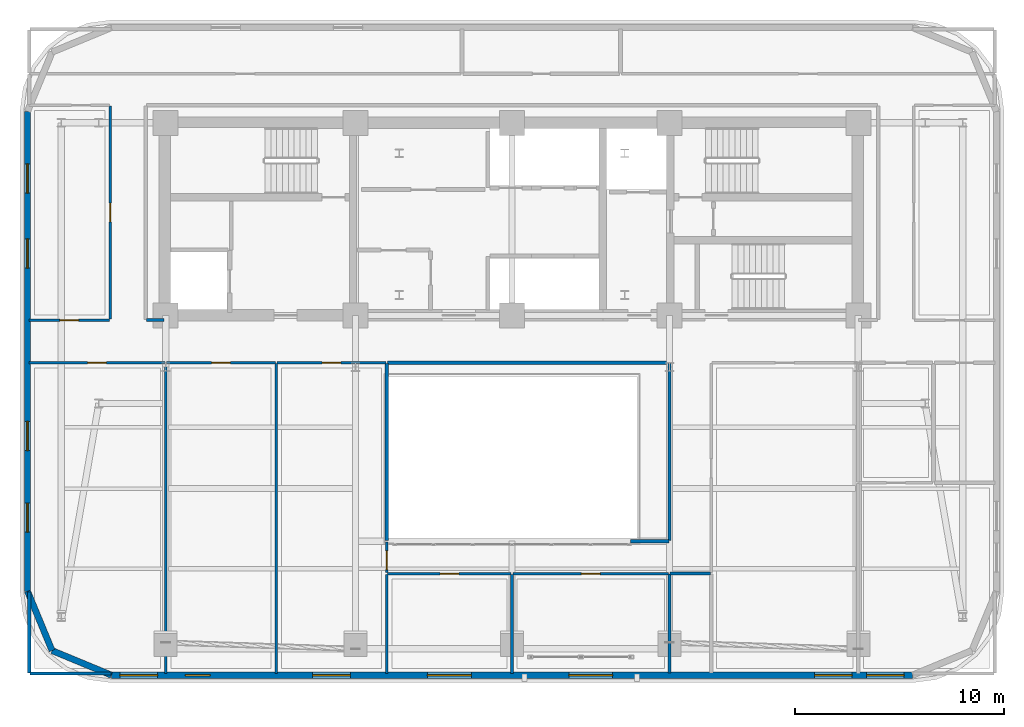
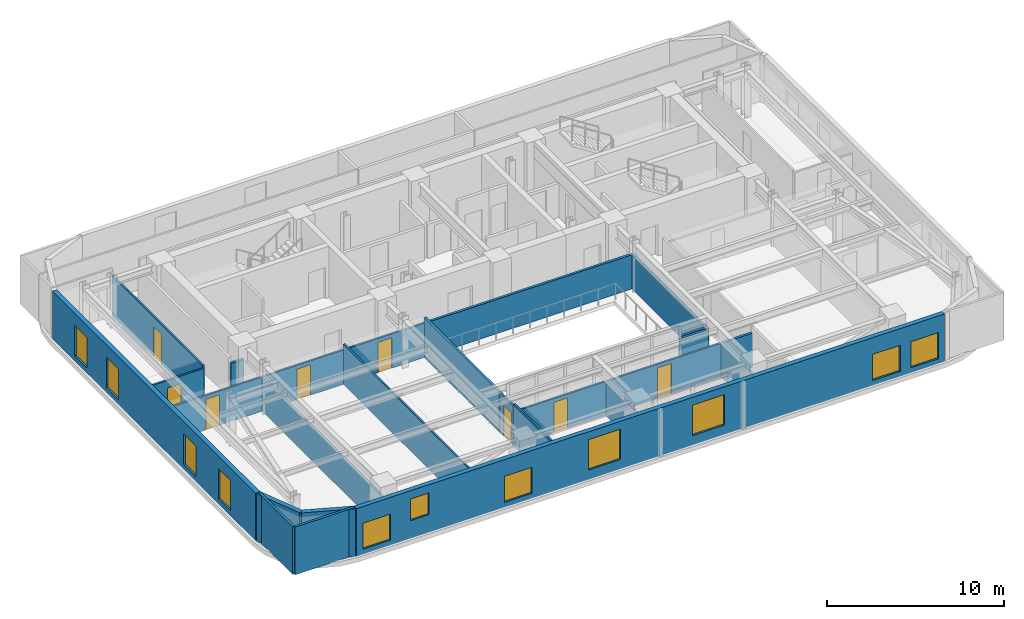
# One storey, part 6 of 12: 25 walls, 11 windows, 8 doors, 19 openings.
"""IFC4 building model written with IfcOpenShell, lengths in metres."""

from ifc_helpers import new_model, si_unit, direction, frame, frame_2d, origin, place, context, subcontext, project, spatial, rectangle, extrude, material, layer, layer_set, type_object, element, fill, save


model = new_model("IFC4")

# Units and contexts
model_context = context("Model", 3, precision=1e-05, world=origin(), true_north=direction((0.0, 1.0)))
body_context = subcontext(model_context, "Body", "Model", "MODEL_VIEW")
ifc_project = project(units=[si_unit("LENGTHUNIT", "METRE"), si_unit("AREAUNIT", "SQUARE_METRE"), si_unit("VOLUMEUNIT", "CUBIC_METRE"), si_unit("PLANEANGLEUNIT", "RADIAN"), si_unit("MASSUNIT", "GRAM", prefix="KILO")], contexts=[model_context])

# Site, building, storey
site_placement = place(None, origin())
site = spatial("IfcSite", under=ifc_project, at=site_placement, CompositionType="ELEMENT")
building_placement = place(site_placement, origin())
building = spatial("IfcBuilding", under=site, at=building_placement, Name="Zarnavel Station Tower", CompositionType="ELEMENT")
storey_placement = place(building_placement, frame((0.0, 0.0, 155.449951171875)))
storey = spatial("IfcBuildingStorey", under=building, at=storey_placement, Name="L42", CompositionType="ELEMENT", Elevation=155.449951171875)

# Wall, openings, windows
ifc_material_1 = material(Name="Precast concrete C45/55 (Dark Basalt Finish)", Category="masonry")
ifc_layer_1 = layer(ifc_material_1, 0.300048828125)
ifc_layer_set_1 = layer_set([ifc_layer_1], Name="EW_BASALT_300")
wall_type_1 = type_object("IfcWallType", Name="EW_BASALT_300", PredefinedType="SOLIDWALL", material=ifc_layer_set_1)
wall_1_placement = place(storey_placement, frame((5.580078125, 14.60009765625, 0.0), z_axis=(0.0, 0.0, 1.0), x_axis=(0.0, 1.0, 0.0)))
wall_1 = element("IfcWall", 1, at=wall_1_placement, inside=storey, type_object=wall_type_1, Name="L42 Exterior Basalt Masonry Frame Wall 09", PredefinedType="SOLIDWALL", context=body_context, shape_type="SweptSolid", body=[
    extrude(rectangle(XDim=23.0, YDim=0.300048828125, at=frame_2d((11.5, 0.0))), origin(), (0.0, 0.0, 1.0), 3.2900390625),
])
opening_1_placement = place(wall_1_placement, frame((15.493408203125, 0.0, 0.340087890625)))
opening_1 = element("IfcOpeningElement", 2, at=opening_1_placement, cuts=wall_1, Name="Opening WN04", PredefinedType="OPENING", context=body_context, shape_type="SweptSolid", body=[
    extrude(rectangle(XDim=1.39990234375, YDim=2.10009765625, at=frame_2d((0.699951171875, 1.050048828125))), frame((0.0, 0.159912109375, 0.0), z_axis=(0.0, -1.0, 0.0), x_axis=(1.0, 0.0, 0.0)), (0.0, 0.0, 1.0), 0.320068359375),
])
opening_2_placement = place(wall_1_placement, frame((19.086669921875, 0.0, 0.340087890625)))
opening_2 = element("IfcOpeningElement", 3, at=opening_2_placement, cuts=wall_1, Name="Opening WN04", PredefinedType="OPENING", context=body_context, shape_type="SweptSolid", body=[
    extrude(rectangle(XDim=1.39990234375, YDim=2.10009765625, at=frame_2d((0.699951171875, 1.050048828125))), frame((0.0, 0.159912109375, 0.0), z_axis=(0.0, -1.0, 0.0), x_axis=(1.0, 0.0, 0.0)), (0.0, 0.0, 1.0), 0.320068359375),
])
opening_3_placement = place(wall_1_placement, frame((2.830078125, 0.0, 0.340087890625)))
opening_3 = element("IfcOpeningElement", 4, at=opening_3_placement, cuts=wall_1, Name="Opening WN04", PredefinedType="OPENING", context=body_context, shape_type="SweptSolid", body=[
    extrude(rectangle(XDim=1.39990234375, YDim=2.10009765625, at=frame_2d((0.699951171875, 1.050048828125))), frame((0.0, 0.159912109375, 0.0), z_axis=(0.0, -1.0, 0.0), x_axis=(1.0, 0.0, 0.0)), (0.0, 0.0, 1.0), 0.320068359375),
])
opening_4_placement = place(wall_1_placement, frame((6.739990234375, 0.0, 0.340087890625)))
opening_4 = element("IfcOpeningElement", 5, at=opening_4_placement, cuts=wall_1, Name="Opening WN04", PredefinedType="OPENING", context=body_context, shape_type="SweptSolid", body=[
    extrude(rectangle(XDim=1.39990234375, YDim=2.10009765625, at=frame_2d((0.699951171875, 1.050048828125))), frame((0.0, 0.159912109375, 0.0), z_axis=(0.0, -1.0, 0.0), x_axis=(1.0, 0.0, 0.0)), (0.0, 0.0, 1.0), 0.320068359375),
])
ifc_material_2 = material(Name="Thermally Broken Black Aluminium and Low-E Dark Glass", Category="aluminium")
window_type_1 = type_object("IfcWindowType", Name="WN_1400x2100", PartitioningType="DOUBLE_PANEL_VERTICAL", PredefinedType="WINDOW", material=ifc_material_2)
window_1_placement = place(opening_1_placement, origin())
window_1 = element("IfcWindow", 6, at=window_1_placement, inside=storey, type_object=window_type_1, Name="L42 Recessed Facade Window 01", OverallHeight=2.10009765625, OverallWidth=1.39990234375, PartitioningType="SINGLE_PANEL", PredefinedType="WINDOW", context=body_context, shape_type="SweptSolid", body=[
    extrude(rectangle(XDim=1.39990234375, YDim=2.10009765625, at=frame_2d((0.699951171875, 1.050048828125))), frame((0.0, 0.030029296875, 0.0), z_axis=(0.0, -1.0, 0.0), x_axis=(1.0, 0.0, 0.0)), (0.0, 0.0, 1.0), 0.06005859375),
])
fill(opening_1, window_1)
window_2_placement = place(opening_2_placement, origin())
window_2 = element("IfcWindow", 7, at=window_2_placement, inside=storey, type_object=window_type_1, Name="L42 Recessed Facade Window 02", OverallHeight=2.10009765625, OverallWidth=1.39990234375, PartitioningType="SINGLE_PANEL", PredefinedType="WINDOW", context=body_context, shape_type="SweptSolid", body=[
    extrude(rectangle(XDim=1.39990234375, YDim=2.10009765625, at=frame_2d((0.699951171875, 1.050048828125))), frame((0.0, 0.030029296875, 0.0), z_axis=(0.0, -1.0, 0.0), x_axis=(1.0, 0.0, 0.0)), (0.0, 0.0, 1.0), 0.06005859375),
])
fill(opening_2, window_2)
window_3_placement = place(opening_3_placement, origin())
window_3 = element("IfcWindow", 8, at=window_3_placement, inside=storey, type_object=window_type_1, Name="L42 Recessed Facade Window 03", OverallHeight=2.10009765625, OverallWidth=1.39990234375, PartitioningType="SINGLE_PANEL", PredefinedType="WINDOW", context=body_context, shape_type="SweptSolid", body=[
    extrude(rectangle(XDim=1.39990234375, YDim=2.10009765625, at=frame_2d((0.699951171875, 1.050048828125))), frame((0.0, 0.030029296875, 0.0), z_axis=(0.0, -1.0, 0.0), x_axis=(1.0, 0.0, 0.0)), (0.0, 0.0, 1.0), 0.06005859375),
])
fill(opening_3, window_3)
window_4_placement = place(opening_4_placement, origin())
window_4 = element("IfcWindow", 9, at=window_4_placement, inside=storey, type_object=window_type_1, Name="L42 Recessed Facade Window 04", OverallHeight=2.10009765625, OverallWidth=1.39990234375, PartitioningType="SINGLE_PANEL", PredefinedType="WINDOW", context=body_context, shape_type="SweptSolid", body=[
    extrude(rectangle(XDim=1.39990234375, YDim=2.10009765625, at=frame_2d((0.699951171875, 1.050048828125))), frame((0.0, 0.030029296875, 0.0), z_axis=(0.0, -1.0, 0.0), x_axis=(1.0, 0.0, 0.0)), (0.0, 0.0, 1.0), 0.06005859375),
])
fill(opening_4, window_4)

# Walls
for number, where, z_axis, x_axis, name in (
    (10, (6.75732421875, 11.75732421875, 0.0), (0.0, 0.0, 1.0), (-0.382608747773, 0.923910464346, 0.0), "L42 Exterior Basalt Masonry Frame Wall 10"),
    (11, (9.60009765625, 10.580078125, 0.0), (0.0, 0.0, 1.0), (-0.923910464346, 0.382608747773, 0.0), "L42 Exterior Basalt Masonry Frame Wall 11"),
):
    element("IfcWall", number, at=place(storey_placement, frame(where, z_axis=z_axis, x_axis=x_axis)), inside=storey, type_object=wall_type_1, Name=name, PredefinedType="SOLIDWALL", context=body_context, shape_type="SweptSolid", body=[
        extrude(rectangle(XDim=3.076904296875, YDim=0.300048828125, at=frame_2d((1.53857421875, 0.0))), origin(), (0.0, 0.0, 1.0), 3.2900390625),
    ])

# Wall, openings, windows
wall_2_placement = place(storey_placement, frame((48.0, 10.580078125, 0.0), z_axis=(0.0, 0.0, 1.0), x_axis=(-1.0, 0.0, 0.0)))
wall_2 = element("IfcWall", 12, at=wall_2_placement, inside=storey, type_object=wall_type_1, Name="L42 Exterior Basalt Masonry Frame Wall 12", PredefinedType="SOLIDWALL", context=body_context, shape_type="SweptSolid", body=[
    extrude(rectangle(XDim=38.39990234375, YDim=0.300048828125, at=frame_2d((19.199951171875, 0.0))), origin(), (0.0, 0.0, 1.0), 3.2900390625),
])
opening_5_placement = place(wall_2_placement, frame((36.18994140625, 0.0, 0.340087890625)))
opening_5 = element("IfcOpeningElement", 13, at=opening_5_placement, cuts=wall_2, Name="Opening WN02", PredefinedType="OPENING", context=body_context, shape_type="SweptSolid", body=[
    extrude(rectangle(XDim=1.800048828125, YDim=1.800048828125, at=frame_2d((0.89990234375, 0.89990234375))), frame((0.0, 0.159912109375, 0.0), z_axis=(0.0, -1.0, 0.0), x_axis=(1.0, 0.0, 0.0)), (0.0, 0.0, 1.0), 0.320068359375),
])
opening_6_placement = place(wall_2_placement, frame((33.669921875, 0.0, 1.219970703125)))
opening_6 = element("IfcOpeningElement", 14, at=opening_6_placement, cuts=wall_2, Name="Opening WN08", PredefinedType="OPENING", context=body_context, shape_type="SweptSolid", body=[
    extrude(rectangle(XDim=1.199951171875, YDim=1.5, at=frame_2d((0.60009765625, 0.75))), frame((0.0, 0.159912109375, 0.0), z_axis=(0.0, -1.0, 0.0), x_axis=(1.0, 0.0, 0.0)), (0.0, 0.0, 1.0), 0.320068359375),
])
opening_7_placement = place(wall_2_placement, frame((26.949951171875, 0.0, 0.340087890625)))
opening_7 = element("IfcOpeningElement", 15, at=opening_7_placement, cuts=wall_2, Name="Opening WN02", PredefinedType="OPENING", context=body_context, shape_type="SweptSolid", body=[
    extrude(rectangle(XDim=1.800048828125, YDim=1.800048828125, at=frame_2d((0.89990234375, 0.89990234375))), frame((0.0, 0.159912109375, 0.0), z_axis=(0.0, -1.0, 0.0), x_axis=(1.0, 0.0, 0.0)), (0.0, 0.0, 1.0), 0.320068359375),
])
opening_8_placement = place(wall_2_placement, frame((21.14990234375, 0.0, 0.64990234375)))
opening_8 = element("IfcOpeningElement", 16, at=opening_8_placement, cuts=wall_2, Name="Opening WN05", PredefinedType="OPENING", context=body_context, shape_type="SweptSolid", body=[
    extrude(rectangle(XDim=2.10009765625, YDim=2.10009765625, at=frame_2d((1.050048828125, 1.050048828125))), frame((0.0, 0.159912109375, 0.0), z_axis=(0.0, -1.0, 0.0), x_axis=(1.0, 0.0, 0.0)), (0.0, 0.0, 1.0), 0.320068359375),
])
opening_9_placement = place(wall_2_placement, frame((14.375, 0.0, 0.64990234375)))
opening_9 = element("IfcOpeningElement", 17, at=opening_9_placement, cuts=wall_2, Name="Opening WN05", PredefinedType="OPENING", context=body_context, shape_type="SweptSolid", body=[
    extrude(rectangle(XDim=2.10009765625, YDim=2.10009765625, at=frame_2d((1.050048828125, 1.050048828125))), frame((0.0, 0.159912109375, 0.0), z_axis=(0.0, -1.0, 0.0), x_axis=(1.0, 0.0, 0.0)), (0.0, 0.0, 1.0), 0.320068359375),
])
opening_10_placement = place(wall_2_placement, frame((2.89990234375, 0.0, 0.340087890625)))
opening_10 = element("IfcOpeningElement", 18, at=opening_10_placement, cuts=wall_2, Name="Opening WN02", PredefinedType="OPENING", context=body_context, shape_type="SweptSolid", body=[
    extrude(rectangle(XDim=1.800048828125, YDim=1.800048828125, at=frame_2d((0.89990234375, 0.89990234375))), frame((0.0, 0.159912109375, 0.0), z_axis=(0.0, -1.0, 0.0), x_axis=(1.0, 0.0, 0.0)), (0.0, 0.0, 1.0), 0.320068359375),
])
opening_11_placement = place(wall_2_placement, frame((0.409912109375, 0.0, 0.340087890625)))
opening_11 = element("IfcOpeningElement", 19, at=opening_11_placement, cuts=wall_2, Name="Opening WN02", PredefinedType="OPENING", context=body_context, shape_type="SweptSolid", body=[
    extrude(rectangle(XDim=1.800048828125, YDim=1.800048828125, at=frame_2d((0.89990234375, 0.89990234375))), frame((0.0, 0.159912109375, 0.0), z_axis=(0.0, -1.0, 0.0), x_axis=(1.0, 0.0, 0.0)), (0.0, 0.0, 1.0), 0.320068359375),
])
ifc_material_3 = material(Name="Thermally Broken Black Aluminium and Low-E Dark Glass", Category="aluminium")
window_type_2 = type_object("IfcWindowType", Name="WN_1200x1500", PartitioningType="SINGLE_PANEL", PredefinedType="WINDOW", material=ifc_material_3)
window_5_placement = place(opening_6_placement, origin())
window_5 = element("IfcWindow", 20, at=window_5_placement, inside=storey, type_object=window_type_2, Name="L42 Recessed Facade Window 02", OverallHeight=1.5, OverallWidth=1.199951171875, PartitioningType="SINGLE_PANEL", PredefinedType="WINDOW", context=body_context, shape_type="SweptSolid", body=[
    extrude(rectangle(XDim=1.199951171875, YDim=1.5, at=frame_2d((0.60009765625, 0.75))), frame((0.0, 0.030029296875, 0.0), z_axis=(0.0, -1.0, 0.0), x_axis=(1.0, 0.0, 0.0)), (0.0, 0.0, 1.0), 0.06005859375),
])
fill(opening_6, window_5)
ifc_material_4 = material(Name="Thermally Broken Black Aluminium and Low-E Dark Glass", Category="aluminium")
window_type_3 = type_object("IfcWindowType", Name="WN_1800x1800", PartitioningType="DOUBLE_PANEL_VERTICAL", PredefinedType="WINDOW", material=ifc_material_4)
window_6_placement = place(opening_5_placement, origin())
window_6 = element("IfcWindow", 21, at=window_6_placement, inside=storey, type_object=window_type_3, Name="L42 Recessed Facade Window 01", OverallHeight=1.800048828125, OverallWidth=1.800048828125, PartitioningType="SINGLE_PANEL", PredefinedType="WINDOW", context=body_context, shape_type="SweptSolid", body=[
    extrude(rectangle(XDim=1.800048828125, YDim=1.800048828125, at=frame_2d((0.89990234375, 0.89990234375))), frame((0.0, 0.030029296875, 0.0), z_axis=(0.0, -1.0, 0.0), x_axis=(1.0, 0.0, 0.0)), (0.0, 0.0, 1.0), 0.06005859375),
])
fill(opening_5, window_6)
window_7_placement = place(opening_7_placement, origin())
window_7 = element("IfcWindow", 22, at=window_7_placement, inside=storey, type_object=window_type_3, Name="L42 Recessed Facade Window 03", OverallHeight=1.800048828125, OverallWidth=1.800048828125, PartitioningType="SINGLE_PANEL", PredefinedType="WINDOW", context=body_context, shape_type="SweptSolid", body=[
    extrude(rectangle(XDim=1.800048828125, YDim=1.800048828125, at=frame_2d((0.89990234375, 0.89990234375))), frame((0.0, 0.030029296875, 0.0), z_axis=(0.0, -1.0, 0.0), x_axis=(1.0, 0.0, 0.0)), (0.0, 0.0, 1.0), 0.06005859375),
])
fill(opening_7, window_7)
window_8_placement = place(opening_10_placement, origin())
window_8 = element("IfcWindow", 23, at=window_8_placement, inside=storey, type_object=window_type_3, Name="L42 Recessed Facade Window 06", OverallHeight=1.800048828125, OverallWidth=1.800048828125, PartitioningType="SINGLE_PANEL", PredefinedType="WINDOW", context=body_context, shape_type="SweptSolid", body=[
    extrude(rectangle(XDim=1.800048828125, YDim=1.800048828125, at=frame_2d((0.89990234375, 0.89990234375))), frame((0.0, 0.030029296875, 0.0), z_axis=(0.0, -1.0, 0.0), x_axis=(1.0, 0.0, 0.0)), (0.0, 0.0, 1.0), 0.06005859375),
])
fill(opening_10, window_8)
window_9_placement = place(opening_11_placement, origin())
window_9 = element("IfcWindow", 24, at=window_9_placement, inside=storey, type_object=window_type_3, Name="L42 Recessed Facade Window 07", OverallHeight=1.800048828125, OverallWidth=1.800048828125, PartitioningType="SINGLE_PANEL", PredefinedType="WINDOW", context=body_context, shape_type="SweptSolid", body=[
    extrude(rectangle(XDim=1.800048828125, YDim=1.800048828125, at=frame_2d((0.89990234375, 0.89990234375))), frame((0.0, 0.030029296875, 0.0), z_axis=(0.0, -1.0, 0.0), x_axis=(1.0, 0.0, 0.0)), (0.0, 0.0, 1.0), 0.06005859375),
])
fill(opening_11, window_9)
ifc_material_5 = material(Name="Thermally Broken Black Aluminium and Low-E Dark Glass", Category="aluminium")
window_type_4 = type_object("IfcWindowType", Name="WN_2100x2100", PartitioningType="TRIPLE_PANEL_VERTICAL", PredefinedType="WINDOW", material=ifc_material_5)
window_10_placement = place(opening_8_placement, origin())
window_10 = element("IfcWindow", 25, at=window_10_placement, inside=storey, type_object=window_type_4, Name="L42 Recessed Facade Window 04", OverallHeight=2.10009765625, OverallWidth=2.10009765625, PartitioningType="SINGLE_PANEL", PredefinedType="WINDOW", context=body_context, shape_type="SweptSolid", body=[
    extrude(rectangle(XDim=2.10009765625, YDim=2.10009765625, at=frame_2d((1.050048828125, 1.050048828125))), frame((0.0, 0.030029296875, 0.0), z_axis=(0.0, -1.0, 0.0), x_axis=(1.0, 0.0, 0.0)), (0.0, 0.0, 1.0), 0.06005859375),
])
fill(opening_8, window_10)
window_11_placement = place(opening_9_placement, origin())
window_11 = element("IfcWindow", 26, at=window_11_placement, inside=storey, type_object=window_type_4, Name="L42 Recessed Facade Window 05", OverallHeight=2.10009765625, OverallWidth=2.10009765625, PartitioningType="SINGLE_PANEL", PredefinedType="WINDOW", context=body_context, shape_type="SweptSolid", body=[
    extrude(rectangle(XDim=2.10009765625, YDim=2.10009765625, at=frame_2d((1.050048828125, 1.050048828125))), frame((0.0, 0.030029296875, 0.0), z_axis=(0.0, -1.0, 0.0), x_axis=(1.0, 0.0, 0.0)), (0.0, 0.0, 1.0), 0.06005859375),
])
fill(opening_9, window_11)

# Walls
ifc_material_6 = material(Name="Gypsum Twin-Stud Acoustic Fire Partition", Category="concrete")
ifc_layer_2 = layer(ifc_material_6, 0.159912109375)
ifc_layer_set_2 = layer_set([ifc_layer_2], Name="PT_DEMISE_160")
wall_type_2 = type_object("IfcWallType", Name="PT_DEMISE_160", PredefinedType="PARTITIONING", material=ifc_layer_set_2)
wall_3_placement = place(storey_placement, frame((22.830078125, 25.550048828125, 0.0), z_axis=(0.0, 0.0, 1.0), x_axis=(1.0, 0.0, 0.0)))
element("IfcWall", 27, at=wall_3_placement, inside=storey, type_object=wall_type_2, Name="L42 Enclosure Wall COR-S", PredefinedType="PARTITIONING", context=body_context, shape_type="SweptSolid", body=[
    extrude(rectangle(XDim=13.489990234375, YDim=0.159912109375, at=frame_2d((6.7451171875, 0.0))), origin(), (0.0, 0.0, 1.0), 2.360107421875),
])
wall_4_placement = place(storey_placement, frame((11.280029296875, 27.60009765625, 0.0), z_axis=(0.0, 0.0, 1.0), x_axis=(1.0, 0.0, 0.0)))
element("IfcWall", 28, at=wall_4_placement, inside=storey, type_object=wall_type_2, Name="L42 Enclosure Wall COR-S", PredefinedType="PARTITIONING", context=body_context, shape_type="SweptSolid", body=[
    extrude(rectangle(XDim=0.840087890625, YDim=0.159912109375, at=frame_2d((0.419921875, 0.0))), origin(), (0.0, 0.0, 1.0), 2.360107421875),
])
wall_5_placement = place(storey_placement, frame((36.3798828125, 15.449951171875, 0.0), z_axis=(0.0, 0.0, 1.0), x_axis=(1.0, 0.0, 0.0)))
element("IfcWall", 29, at=wall_5_placement, inside=storey, type_object=wall_type_2, Name="L42 Enclosure Wall COR-AE", PredefinedType="PARTITIONING", context=body_context, shape_type="SweptSolid", body=[
    extrude(rectangle(XDim=1.940185546875, YDim=0.159912109375, at=frame_2d((0.97021484375, 0.0))), origin(), (0.0, 0.0, 1.0), 2.360107421875),
])
wall_6_placement = place(storey_placement, frame((36.35009765625, 17.030029296875, 0.0), z_axis=(0.0, 0.0, 1.0), x_axis=(0.0, 1.0, 0.0)))
element("IfcWall", 30, at=wall_6_placement, inside=storey, type_object=wall_type_2, Name="L42 Enclosure Wall COR-AE", PredefinedType="PARTITIONING", context=body_context, shape_type="SweptSolid", body=[
    extrude(rectangle(XDim=8.489990234375, YDim=0.159912109375, at=frame_2d((4.2451171875, 0.0))), origin(), (0.0, 0.0, 1.0), 2.360107421875),
])
wall_7_placement = place(storey_placement, frame((34.47998046875, 17.0, 0.0), z_axis=(0.0, 0.0, 1.0), x_axis=(1.0, 0.0, 0.0)))
element("IfcWall", 31, at=wall_7_placement, inside=storey, type_object=wall_type_2, Name="L42 Enclosure Wall COR-AS", PredefinedType="PARTITIONING", context=body_context, shape_type="SweptSolid", body=[
    extrude(rectangle(XDim=1.840087890625, YDim=0.159912109375, at=frame_2d((0.919921875, 0.0))), origin(), (0.0, 0.0, 1.0), 2.360107421875),
])
for number, where, z_axis, x_axis, name in (
    (32, (5.68994140625, 10.659912109375, 0.0), (0.0, 0.0, 1.0), (1.0, 0.0, 0.0), "L42 Enclosure Wall L41LIB"),
    (33, (5.659912109375, 10.68994140625, 0.0), (0.0, 0.0, 1.0), (0.0, 1.0, 0.0), "L42 Enclosure Wall L41LIB"),
):
    element("IfcWall", number, at=place(storey_placement, frame(where, z_axis=z_axis, x_axis=x_axis)), inside=storey, type_object=wall_type_2, Name=name, PredefinedType="PARTITIONING", context=body_context, shape_type="SweptSolid", body=[
        extrude(rectangle(XDim=3.880126953125, YDim=0.159912109375, at=frame_2d((1.93994140625, 0.0))), origin(), (0.0, 0.0, 1.0), 3.2900390625),
    ])
wall_8_placement = place(storey_placement, frame((22.800048828125, 17.030029296875, 0.0), z_axis=(0.0, 0.0, 1.0), x_axis=(0.0, 1.0, 0.0)))
element("IfcWall", 34, at=wall_8_placement, inside=storey, type_object=wall_type_2, Name="L42 Enclosure Wall L41OFF", PredefinedType="PARTITIONING", context=body_context, shape_type="SweptSolid", body=[
    extrude(rectangle(XDim=8.489990234375, YDim=0.159912109375, at=frame_2d((4.2451171875, 0.0))), origin(), (0.0, 0.0, 1.0), 2.72998046875),
])
wall_9_placement = place(storey_placement, frame((36.35009765625, 10.68994140625, 0.0), z_axis=(0.0, 0.0, 1.0), x_axis=(0.0, 1.0, 0.0)))
element("IfcWall", 35, at=wall_9_placement, inside=storey, type_object=wall_type_2, Name="L42 Enclosure Wall L41BAR", PredefinedType="PARTITIONING", context=body_context, shape_type="SweptSolid", body=[
    extrude(rectangle(XDim=4.72998046875, YDim=0.159912109375, at=frame_2d((2.364990234375, 0.0))), origin(), (0.0, 0.0, 1.0), 2.360107421875),
])

# Wall, opening, door
ifc_material_7 = material(Name="Gypsum Metal-Stud Interior Partition", Category="concrete")
ifc_layer_3 = layer(ifc_material_7, 0.1201171875)
ifc_layer_set_3 = layer_set([ifc_layer_3], Name="PT_ROOM_120")
wall_type_3 = type_object("IfcWallType", Name="PT_ROOM_120", PredefinedType="PARTITIONING", material=ifc_layer_set_3)
wall_10_placement = place(storey_placement, frame((5.659912109375, 27.60009765625, 0.0), z_axis=(0.0, 0.0, 1.0), x_axis=(1.0, 0.0, 0.0)))
wall_10 = element("IfcWall", 36, at=wall_10_placement, inside=storey, type_object=wall_type_3, Name="L42 Partition COR-S-FNW", PredefinedType="PARTITIONING", context=body_context, shape_type="SweptSolid", body=[
    extrude(rectangle(XDim=3.85009765625, YDim=0.1201171875, at=frame_2d((1.925048828125, 0.0))), origin(), (0.0, 0.0, 1.0), 2.6201171875),
])
opening_12_placement = place(wall_10_placement, frame((1.47509765625, 0.0, 0.0)))
opening_12 = element("IfcOpeningElement", 37, at=opening_12_placement, cuts=wall_10, Name="Opening ID01", PredefinedType="OPENING", context=body_context, shape_type="SweptSolid", body=[
    extrude(rectangle(XDim=0.89990234375, YDim=2.10009765625, at=frame_2d((0.449951171875, 1.050048828125))), frame((0.0, 0.070068359375, 0.0), z_axis=(0.0, -1.0, 0.0), x_axis=(1.0, 0.0, 0.0)), (0.0, 0.0, 1.0), 0.14013671875),
])
ifc_material_8 = material(Name="Painted Galvanised Steel and Hardwood Leaf", Category="steel")
door_type = type_object("IfcDoorType", Name="ID_ROOM_900", OperationType="NOTDEFINED", PredefinedType="DOOR", material=ifc_material_8)
door_1_placement = place(opening_12_placement, origin())
door_1 = element("IfcDoor", 38, at=door_1_placement, inside=storey, type_object=door_type, Name="L42 Door COR-S-FNW", OperationType="SINGLE_SWING_RIGHT", OverallHeight=2.10009765625, OverallWidth=0.89990234375, PredefinedType="DOOR", context=body_context, shape_type="SweptSolid", body=[
    extrude(rectangle(XDim=0.89990234375, YDim=2.10009765625, at=frame_2d((0.449951171875, 1.050048828125))), frame((0.0, 0.02490234375, 0.0), z_axis=(0.0, -1.0, 0.0), x_axis=(1.0, 0.0, 0.0)), (0.0, 0.0, 1.0), 0.050048828125),
])
fill(opening_12, door_1)

wall_11_placement = place(storey_placement, frame((5.659912109375, 25.550048828125, 0.0), z_axis=(0.0, 0.0, 1.0), x_axis=(1.0, 0.0, 0.0)))
wall_11 = element("IfcWall", 39, at=wall_11_placement, inside=storey, type_object=wall_type_3, Name="L42 Partition COR-S-L41LIB", PredefinedType="PARTITIONING", context=body_context, shape_type="SweptSolid", body=[
    extrude(rectangle(XDim=6.5, YDim=0.1201171875, at=frame_2d((3.25, 0.0))), origin(), (0.0, 0.0, 1.0), 2.360107421875),
])
opening_13_placement = place(wall_11_placement, frame((2.800048828125, 0.0, 0.0)))
opening_13 = element("IfcOpeningElement", 40, at=opening_13_placement, cuts=wall_11, Name="Opening ID01", PredefinedType="OPENING", context=body_context, shape_type="SweptSolid", body=[
    extrude(rectangle(XDim=0.89990234375, YDim=2.10009765625, at=frame_2d((0.449951171875, 1.050048828125))), frame((0.0, 0.070068359375, 0.0), z_axis=(0.0, -1.0, 0.0), x_axis=(1.0, 0.0, 0.0)), (0.0, 0.0, 1.0), 0.14013671875),
])
door_2_placement = place(opening_13_placement, origin())
door_2 = element("IfcDoor", 41, at=door_2_placement, inside=storey, type_object=door_type, Name="L42 Door COR-S-L41LIB", OperationType="SINGLE_SWING_RIGHT", OverallHeight=2.10009765625, OverallWidth=0.89990234375, PredefinedType="DOOR", context=body_context, shape_type="SweptSolid", body=[
    extrude(rectangle(XDim=0.89990234375, YDim=2.10009765625, at=frame_2d((0.449951171875, 1.050048828125))), frame((0.0, 0.02490234375, 0.0), z_axis=(0.0, -1.0, 0.0), x_axis=(1.0, 0.0, 0.0)), (0.0, 0.0, 1.0), 0.050048828125),
])
fill(opening_13, door_2)

wall_12_placement = place(storey_placement, frame((12.239990234375, 25.550048828125, 0.0), z_axis=(0.0, 0.0, 1.0), x_axis=(1.0, 0.0, 0.0)))
wall_12 = element("IfcWall", 42, at=wall_12_placement, inside=storey, type_object=wall_type_3, Name="L42 Partition COR-S-L41BRD", PredefinedType="PARTITIONING", context=body_context, shape_type="SweptSolid", body=[
    extrude(rectangle(XDim=5.219970703125, YDim=0.1201171875, at=frame_2d((2.60986328125, 0.0))), origin(), (0.0, 0.0, 1.0), 2.360107421875),
])
opening_14_placement = place(wall_12_placement, frame((2.159912109375, 0.0, 0.0)))
opening_14 = element("IfcOpeningElement", 43, at=opening_14_placement, cuts=wall_12, Name="Opening ID01", PredefinedType="OPENING", context=body_context, shape_type="SweptSolid", body=[
    extrude(rectangle(XDim=0.89990234375, YDim=2.10009765625, at=frame_2d((0.449951171875, 1.050048828125))), frame((0.0, 0.070068359375, 0.0), z_axis=(0.0, -1.0, 0.0), x_axis=(1.0, 0.0, 0.0)), (0.0, 0.0, 1.0), 0.14013671875),
])
door_3_placement = place(opening_14_placement, origin())
door_3 = element("IfcDoor", 44, at=door_3_placement, inside=storey, type_object=door_type, Name="L42 Door COR-S-L41BRD", OperationType="SINGLE_SWING_LEFT", OverallHeight=2.10009765625, OverallWidth=0.89990234375, PredefinedType="DOOR", context=body_context, shape_type="SweptSolid", body=[
    extrude(rectangle(XDim=0.89990234375, YDim=2.10009765625, at=frame_2d((0.449951171875, 1.050048828125))), frame((0.0, 0.02490234375, 0.0), z_axis=(0.0, -1.0, 0.0), x_axis=(1.0, 0.0, 0.0)), (0.0, 0.0, 1.0), 0.050048828125),
])
fill(opening_14, door_3)

wall_13_placement = place(storey_placement, frame((17.5400390625, 25.550048828125, 0.0), z_axis=(0.0, 0.0, 1.0), x_axis=(1.0, 0.0, 0.0)))
wall_13 = element("IfcWall", 45, at=wall_13_placement, inside=storey, type_object=wall_type_3, Name="L42 Partition COR-S-L41OFF", PredefinedType="PARTITIONING", context=body_context, shape_type="SweptSolid", body=[
    extrude(rectangle(XDim=5.219970703125, YDim=0.1201171875, at=frame_2d((2.60986328125, 0.0))), origin(), (0.0, 0.0, 1.0), 2.360107421875),
])
opening_15_placement = place(wall_13_placement, frame((2.159912109375, 0.0, 0.0)))
opening_15 = element("IfcOpeningElement", 46, at=opening_15_placement, cuts=wall_13, Name="Opening ID01", PredefinedType="OPENING", context=body_context, shape_type="SweptSolid", body=[
    extrude(rectangle(XDim=0.89990234375, YDim=2.10009765625, at=frame_2d((0.449951171875, 1.050048828125))), frame((0.0, 0.070068359375, 0.0), z_axis=(0.0, -1.0, 0.0), x_axis=(1.0, 0.0, 0.0)), (0.0, 0.0, 1.0), 0.14013671875),
])
door_4_placement = place(opening_15_placement, origin())
door_4 = element("IfcDoor", 47, at=door_4_placement, inside=storey, type_object=door_type, Name="L42 Door COR-S-L41OFF", OperationType="SINGLE_SWING_RIGHT", OverallHeight=2.10009765625, OverallWidth=0.89990234375, PredefinedType="DOOR", context=body_context, shape_type="SweptSolid", body=[
    extrude(rectangle(XDim=0.89990234375, YDim=2.10009765625, at=frame_2d((0.449951171875, 1.050048828125))), frame((0.0, 0.02490234375, 0.0), z_axis=(0.0, -1.0, 0.0), x_axis=(1.0, 0.0, 0.0)), (0.0, 0.0, 1.0), 0.050048828125),
])
fill(opening_15, door_4)

wall_14_placement = place(storey_placement, frame((9.550048828125, 27.639892578125, 0.0), z_axis=(0.0, 0.0, 1.0), x_axis=(0.0, 1.0, 0.0)))
wall_14 = element("IfcWall", 48, at=wall_14_placement, inside=storey, type_object=wall_type_3, Name="L42 Partition COR-W-FNW", PredefinedType="PARTITIONING", context=body_context, shape_type="SweptSolid", body=[
    extrude(rectangle(XDim=10.22021484375, YDim=0.1201171875, at=frame_2d((5.110107421875, 0.0))), origin(), (0.0, 0.0, 1.0), 2.77001953125),
])
opening_16_placement = place(wall_14_placement, frame((4.659912109375, 0.0, 0.0)))
opening_16 = element("IfcOpeningElement", 49, at=opening_16_placement, cuts=wall_14, Name="Opening ID01", PredefinedType="OPENING", context=body_context, shape_type="SweptSolid", body=[
    extrude(rectangle(XDim=0.89990234375, YDim=2.10009765625, at=frame_2d((0.449951171875, 1.050048828125))), frame((0.0, 0.070068359375, 0.0), z_axis=(0.0, -1.0, 0.0), x_axis=(1.0, 0.0, 0.0)), (0.0, 0.0, 1.0), 0.14013671875),
])
door_5_placement = place(opening_16_placement, origin())
door_5 = element("IfcDoor", 50, at=door_5_placement, inside=storey, type_object=door_type, Name="L42 Door COR-W-FNW", OperationType="SINGLE_SWING_RIGHT", OverallHeight=2.10009765625, OverallWidth=0.89990234375, PredefinedType="DOOR", context=body_context, shape_type="SweptSolid", body=[
    extrude(rectangle(XDim=0.89990234375, YDim=2.10009765625, at=frame_2d((0.449951171875, 1.050048828125))), frame((0.0, 0.02490234375, 0.0), z_axis=(0.0, -1.0, 0.0), x_axis=(1.0, 0.0, 0.0)), (0.0, 0.0, 1.0), 0.050048828125),
])
fill(opening_16, door_5)

wall_15_placement = place(storey_placement, frame((22.800048828125, 15.489990234375, 0.0), z_axis=(0.0, 0.0, 1.0), x_axis=(0.0, 1.0, 0.0)))
wall_15 = element("IfcWall", 51, at=wall_15_placement, inside=storey, type_object=wall_type_3, Name="L42 Partition COR-AS-L41OFF", PredefinedType="PARTITIONING", context=body_context, shape_type="SweptSolid", body=[
    extrude(rectangle(XDim=1.469970703125, YDim=0.1201171875, at=frame_2d((0.73486328125, 0.0))), origin(), (0.0, 0.0, 1.0), 2.72998046875),
])
opening_17_placement = place(wall_15_placement, frame((0.152099609375, 0.0, 0.0)))
opening_17 = element("IfcOpeningElement", 52, at=opening_17_placement, cuts=wall_15, Name="Opening ID01", PredefinedType="OPENING", context=body_context, shape_type="SweptSolid", body=[
    extrude(rectangle(XDim=0.89990234375, YDim=2.10009765625, at=frame_2d((0.449951171875, 1.050048828125))), frame((0.0, 0.070068359375, 0.0), z_axis=(0.0, -1.0, 0.0), x_axis=(1.0, 0.0, 0.0)), (0.0, 0.0, 1.0), 0.14013671875),
])
door_6_placement = place(opening_17_placement, origin())
door_6 = element("IfcDoor", 53, at=door_6_placement, inside=storey, type_object=door_type, Name="L42 Door COR-AS-L41OFF", OperationType="SINGLE_SWING_RIGHT", OverallHeight=2.10009765625, OverallWidth=0.89990234375, PredefinedType="DOOR", context=body_context, shape_type="SweptSolid", body=[
    extrude(rectangle(XDim=0.89990234375, YDim=2.10009765625, at=frame_2d((0.449951171875, 1.050048828125))), frame((0.0, 0.02490234375, 0.0), z_axis=(0.0, -1.0, 0.0), x_axis=(1.0, 0.0, 0.0)), (0.0, 0.0, 1.0), 0.050048828125),
])
fill(opening_17, door_6)

wall_16_placement = place(storey_placement, frame((22.840087890625, 15.449951171875, 0.0), z_axis=(0.0, 0.0, 1.0), x_axis=(1.0, 0.0, 0.0)))
wall_16 = element("IfcWall", 54, at=wall_16_placement, inside=storey, type_object=wall_type_3, Name="L42 Partition COR-AS-L41TEA", PredefinedType="PARTITIONING", context=body_context, shape_type="SweptSolid", body=[
    extrude(rectangle(XDim=5.919921875, YDim=0.1201171875, at=frame_2d((2.9599609375, 0.0))), origin(), (0.0, 0.0, 1.0), 2.360107421875),
])
opening_18_placement = place(wall_16_placement, frame((2.510009765625, 0.0, 0.0)))
opening_18 = element("IfcOpeningElement", 55, at=opening_18_placement, cuts=wall_16, Name="Opening ID01", PredefinedType="OPENING", context=body_context, shape_type="SweptSolid", body=[
    extrude(rectangle(XDim=0.89990234375, YDim=2.10009765625, at=frame_2d((0.449951171875, 1.050048828125))), frame((0.0, 0.070068359375, 0.0), z_axis=(0.0, -1.0, 0.0), x_axis=(1.0, 0.0, 0.0)), (0.0, 0.0, 1.0), 0.14013671875),
])
door_7_placement = place(opening_18_placement, origin())
door_7 = element("IfcDoor", 56, at=door_7_placement, inside=storey, type_object=door_type, Name="L42 Door COR-AS-L41TEA", OperationType="SINGLE_SWING_LEFT", OverallHeight=2.10009765625, OverallWidth=0.89990234375, PredefinedType="DOOR", context=body_context, shape_type="SweptSolid", body=[
    extrude(rectangle(XDim=0.89990234375, YDim=2.10009765625, at=frame_2d((0.449951171875, 1.050048828125))), frame((0.0, 0.02490234375, 0.0), z_axis=(0.0, -1.0, 0.0), x_axis=(1.0, 0.0, 0.0)), (0.0, 0.0, 1.0), 0.050048828125),
])
fill(opening_18, door_7)

wall_17_placement = place(storey_placement, frame((28.840087890625, 15.449951171875, 0.0), z_axis=(0.0, 0.0, 1.0), x_axis=(1.0, 0.0, 0.0)))
wall_17 = element("IfcWall", 57, at=wall_17_placement, inside=storey, type_object=wall_type_3, Name="L42 Partition COR-AS-L41BAR", PredefinedType="PARTITIONING", context=body_context, shape_type="SweptSolid", body=[
    extrude(rectangle(XDim=7.469970703125, YDim=0.1201171875, at=frame_2d((3.73486328125, 0.0))), origin(), (0.0, 0.0, 1.0), 2.360107421875),
])
opening_19_placement = place(wall_17_placement, frame((3.284912109375, 0.0, 0.0)))
opening_19 = element("IfcOpeningElement", 58, at=opening_19_placement, cuts=wall_17, Name="Opening ID01", PredefinedType="OPENING", context=body_context, shape_type="SweptSolid", body=[
    extrude(rectangle(XDim=0.89990234375, YDim=2.10009765625, at=frame_2d((0.449951171875, 1.050048828125))), frame((0.0, 0.070068359375, 0.0), z_axis=(0.0, -1.0, 0.0), x_axis=(1.0, 0.0, 0.0)), (0.0, 0.0, 1.0), 0.14013671875),
])
door_8_placement = place(opening_19_placement, origin())
door_8 = element("IfcDoor", 59, at=door_8_placement, inside=storey, type_object=door_type, Name="L42 Door COR-AS-L41BAR", OperationType="SINGLE_SWING_RIGHT", OverallHeight=2.10009765625, OverallWidth=0.89990234375, PredefinedType="DOOR", context=body_context, shape_type="SweptSolid", body=[
    extrude(rectangle(XDim=0.89990234375, YDim=2.10009765625, at=frame_2d((0.449951171875, 1.050048828125))), frame((0.0, 0.02490234375, 0.0), z_axis=(0.0, -1.0, 0.0), x_axis=(1.0, 0.0, 0.0)), (0.0, 0.0, 1.0), 0.050048828125),
])
fill(opening_19, door_8)

# Walls
wall_18_placement = place(storey_placement, frame((12.199951171875, 10.659912109375, 0.0), z_axis=(0.0, 0.0, 1.0), x_axis=(0.0, 1.0, 0.0)))
element("IfcWall", 60, at=wall_18_placement, inside=storey, type_object=wall_type_3, Name="L42 Partition L41LIB-L41BRD", PredefinedType="PARTITIONING", context=body_context, shape_type="SweptSolid", body=[
    extrude(rectangle(XDim=14.85009765625, YDim=0.1201171875, at=frame_2d((7.425048828125, 0.0))), origin(), (0.0, 0.0, 1.0), 2.360107421875),
])
wall_19_placement = place(storey_placement, frame((17.5, 10.659912109375, 0.0), z_axis=(0.0, 0.0, 1.0), x_axis=(0.0, 1.0, 0.0)))
element("IfcWall", 61, at=wall_19_placement, inside=storey, type_object=wall_type_3, Name="L42 Partition L41BRD-L41OFF", PredefinedType="PARTITIONING", context=body_context, shape_type="SweptSolid", body=[
    extrude(rectangle(XDim=14.85009765625, YDim=0.1201171875, at=frame_2d((7.425048828125, 0.0))), origin(), (0.0, 0.0, 1.0), 2.77001953125),
])
wall_20_placement = place(storey_placement, frame((22.800048828125, 10.659912109375, 0.0), z_axis=(0.0, 0.0, 1.0), x_axis=(0.0, 1.0, 0.0)))
element("IfcWall", 62, at=wall_20_placement, inside=storey, type_object=wall_type_3, Name="L42 Partition L41OFF-L41TEA", PredefinedType="PARTITIONING", context=body_context, shape_type="SweptSolid", body=[
    extrude(rectangle(XDim=4.75, YDim=0.1201171875, at=frame_2d((2.375, 0.0))), origin(), (0.0, 0.0, 1.0), 2.91015625),
])
wall_21_placement = place(storey_placement, frame((28.800048828125, 10.659912109375, 0.0), z_axis=(0.0, 0.0, 1.0), x_axis=(0.0, 1.0, 0.0)))
element("IfcWall", 63, at=wall_21_placement, inside=storey, type_object=wall_type_3, Name="L42 Partition L41TEA-L41BAR", PredefinedType="PARTITIONING", context=body_context, shape_type="SweptSolid", body=[
    extrude(rectangle(XDim=4.75, YDim=0.1201171875, at=frame_2d((2.375, 0.0))), origin(), (0.0, 0.0, 1.0), 2.360107421875),
])

save(model, "model.ifc")
